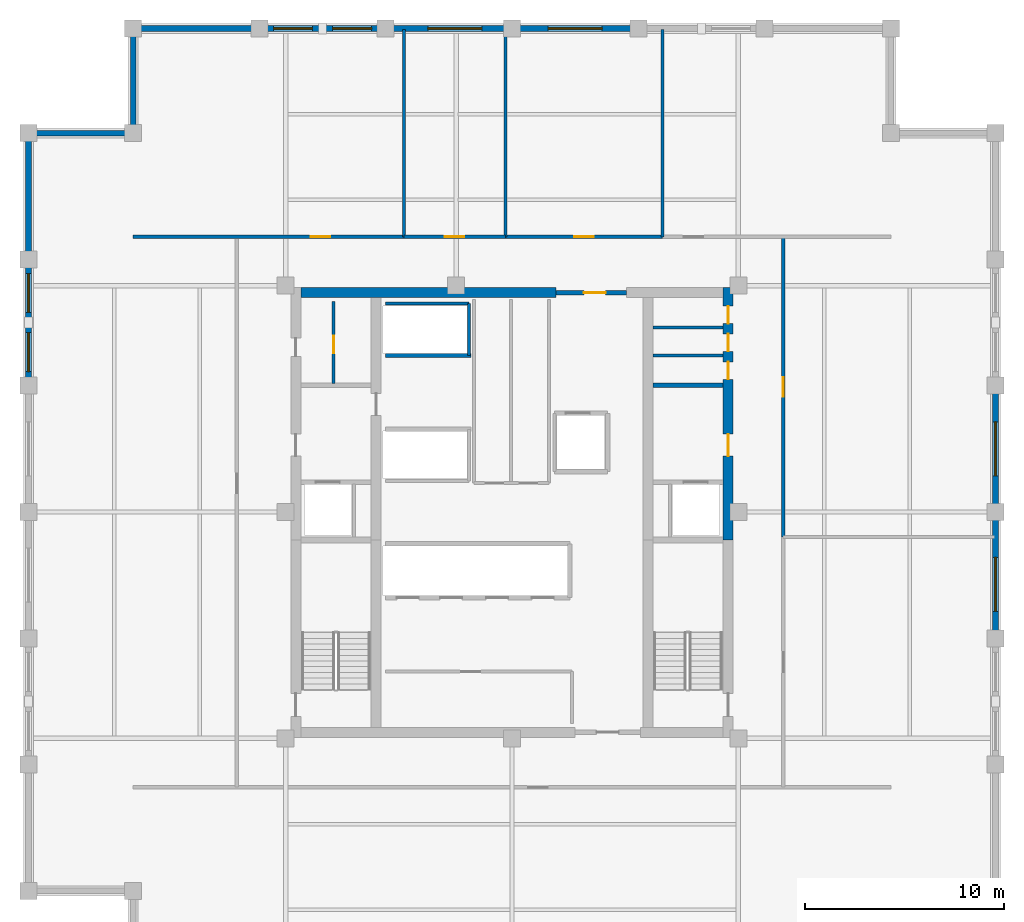
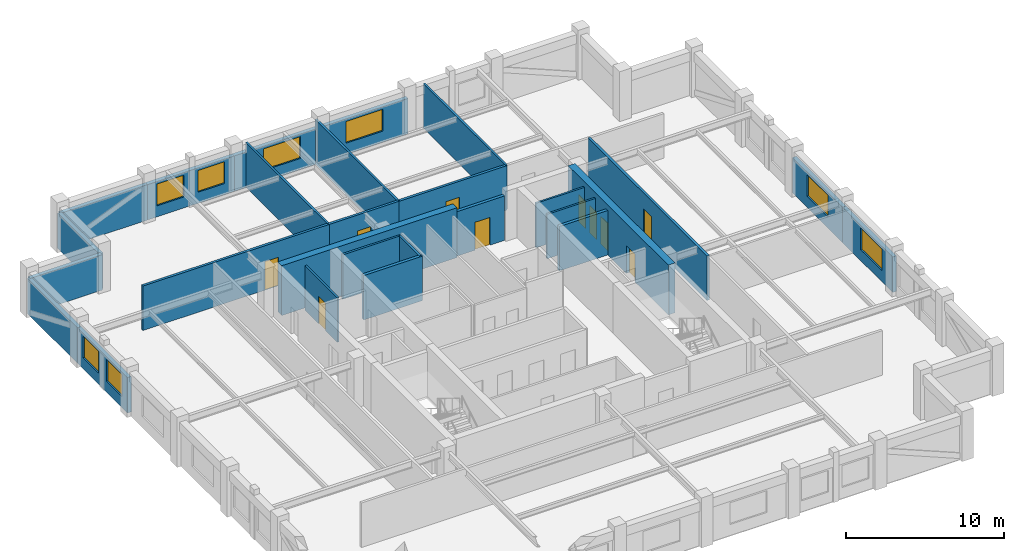
# One storey, part 4 of 6: 27 walls, 10 doors, 8 windows, 18 openings.
"""IFC4 building model written with IfcOpenShell, lengths in metres."""

from ifc_helpers import new_model, si_unit, direction, frame, frame_2d, origin, place, context, subcontext, project, spatial, rectangle, extrude, material, layer, layer_set, type_object, element, fill, save


model = new_model("IFC4")

# Units and contexts
model_context = context("Model", 3, precision=1e-05, world=origin(), true_north=direction((0.0, 1.0)))
body_context = subcontext(model_context, "Body", "Model", "MODEL_VIEW")
ifc_project = project(units=[si_unit("LENGTHUNIT", "METRE"), si_unit("AREAUNIT", "SQUARE_METRE"), si_unit("VOLUMEUNIT", "CUBIC_METRE"), si_unit("PLANEANGLEUNIT", "RADIAN"), si_unit("MASSUNIT", "GRAM", prefix="KILO")], contexts=[model_context])

# Site, building, storey
site_placement = place(None, origin())
site = spatial("IfcSite", under=ifc_project, at=site_placement, CompositionType="ELEMENT")
building_placement = place(site_placement, origin())
building = spatial("IfcBuilding", under=site, at=building_placement, Name="Nhamokura Convention Tower", CompositionType="ELEMENT")
storey_placement = place(building_placement, frame((0.0, 0.0, 248.5)))
storey = spatial("IfcBuildingStorey", under=building, at=storey_placement, Name="L61", CompositionType="ELEMENT", Elevation=248.5)

# Wall, opening, door
ifc_material_1 = material(Name="Moisture-resistant tile-backer partition", Category="masonry")
ifc_layer_1 = layer(ifc_material_1, 0.139892578125)
ifc_layer_set_1 = layer_set([ifc_layer_1], Name="BathroomWetWall_140")
wall_type_1 = type_object("IfcWallType", Name="BathroomWetWall_140", PredefinedType="STANDARD", material=ifc_layer_set_1)
wall_1_placement = place(storey_placement, frame((23.050048828125, 38.449951171875, 0.0), z_axis=(0.0, 0.0, 1.0), x_axis=(0.0, 1.0, 0.0)))
wall_1 = element("IfcWall", 1, at=wall_1_placement, inside=storey, type_object=wall_type_1, Name="L61 Wall INT-L61-CWNWV", PredefinedType="STANDARD", context=body_context, shape_type="SweptSolid", body=[
    extrude(rectangle(XDim=4.10009765625, YDim=0.139892578125, at=frame_2d((2.050048828125, 0.0))), origin(), (0.0, 0.0, 1.0), 3.429931640625),
])
opening_1_placement = place(wall_1_placement, frame((1.5, 0.0, 0.0)))
opening_1 = element("IfcOpeningElement", 2, at=opening_1_placement, cuts=wall_1, Name="Opening D-11", PredefinedType="OPENING", context=body_context, shape_type="SweptSolid", body=[
    extrude(rectangle(XDim=0.8798828125, YDim=2.10009765625, at=frame_2d((0.43994140625, 1.050048828125))), frame((0.0, 0.079833984375, 0.0), z_axis=(0.0, -1.0, 0.0), x_axis=(1.0, 0.0, 0.0)), (0.0, 0.0, 1.0), 0.159912109375),
])
ifc_material_2 = material(Name="Solid oak hardwood", Category="wood")
door_type_1 = type_object("IfcDoorType", Name="BathroomDoor_880", OperationType="NOTDEFINED", PredefinedType="DOOR", material=ifc_material_2)
door_1_placement = place(opening_1_placement, origin())
door_1 = element("IfcDoor", 3, at=door_1_placement, inside=storey, type_object=door_type_1, Name="L61 Inner Store Door", OperationType="SINGLE_SWING_LEFT", OverallHeight=2.10009765625, OverallWidth=0.8798828125, PredefinedType="DOOR", context=body_context, shape_type="SweptSolid", body=[
    extrude(rectangle(XDim=0.8798828125, YDim=2.10009765625, at=frame_2d((0.43994140625, 1.050048828125))), frame((0.0, 0.02490234375, 0.0), z_axis=(0.0, -1.0, 0.0), x_axis=(1.0, 0.0, 0.0)), (0.0, 0.0, 1.0), 0.050048828125),
])
fill(opening_1, door_1)

# Walls
for number, where, z_axis, x_axis, name in (
    (4, (39.06005859375, 39.85009765625, 0.0), (0.0, 0.0, 1.0), (1.0, 0.0, 0.0), "L61 Wall INT-L61-CWNE1"),
    (5, (39.06005859375, 41.25, 0.0), (0.0, 0.0, 1.0), (1.0, 0.0, 0.0), "L61 Wall INT-L61-CWNE2"),
):
    element("IfcWall", number, at=place(storey_placement, frame(where, z_axis=z_axis, x_axis=x_axis)), inside=storey, type_object=wall_type_1, Name=name, PredefinedType="STANDARD", context=body_context, shape_type="SweptSolid", body=[
        extrude(rectangle(XDim=3.530029296875, YDim=0.139892578125, at=frame_2d((1.76513671875, 0.0))), origin(), (0.0, 0.0, 1.0), 3.429931640625),
    ])
ifc_material_3 = material(Name="Bronze-pigmented precast concrete C45/55", Category="concrete")
ifc_layer_2 = layer(ifc_material_3, 0.280029296875)
ifc_layer_set_2 = layer_set([ifc_layer_2], Name="BronzePrecastSpandrel_280")
wall_type_2 = type_object("IfcWallType", Name="BronzePrecastSpandrel_280", PredefinedType="USERDEFINED", material=ifc_layer_set_2)
wall_2_placement = place(storey_placement, frame((13.0, 56.25, 0.0), z_axis=(0.0, 0.0, 1.0), x_axis=(1.0, 0.0, 0.0)))
element("IfcWall", 6, at=wall_2_placement, inside=storey, type_object=wall_type_2, Name="L61 Braced-Bay Precast Wall NORTH 0", ObjectType="SPANDREL_WALL", PredefinedType="USERDEFINED", context=body_context, shape_type="SweptSolid", body=[
    extrude(rectangle(XDim=6.333251953125, YDim=0.280029296875, at=frame_2d((3.16650390625, 0.0))), origin(), (0.0, 0.0, 1.0), 2.72998046875),
])

# Wall, openings, windows
wall_3_placement = place(storey_placement, frame((19.333251953125, 56.25, 0.0), z_axis=(0.0, 0.0, 1.0), x_axis=(1.0, 0.0, 0.0)))
wall_3 = element("IfcWall", 7, at=wall_3_placement, inside=storey, type_object=wall_type_2, Name="L61 Masonry-Frame Wall NORTH 1", ObjectType="SPANDREL_WALL", PredefinedType="USERDEFINED", context=body_context, shape_type="SweptSolid", body=[
    extrude(rectangle(XDim=6.33349609375, YDim=0.280029296875, at=frame_2d((3.166748046875, 0.0))), origin(), (0.0, 0.0, 1.0), 2.72998046875),
])
opening_2_placement = place(wall_3_placement, frame((0.708251953125, 0.0, 0.85009765625)))
opening_2 = element("IfcOpeningElement", 8, at=opening_2_placement, cuts=wall_3, Name="Opening W-08", PredefinedType="OPENING", context=body_context, shape_type="SweptSolid", body=[
    extrude(rectangle(XDim=1.949951171875, YDim=1.679931640625, at=frame_2d((0.97509765625, 0.83984375))), frame((0.0, 0.14990234375, 0.0), z_axis=(0.0, -1.0, 0.0), x_axis=(1.0, 0.0, 0.0)), (0.0, 0.0, 1.0), 0.300048828125),
])
opening_3_placement = place(wall_3_placement, frame((3.675048828125, 0.0, 0.85009765625)))
opening_3 = element("IfcOpeningElement", 9, at=opening_3_placement, cuts=wall_3, Name="Opening W-08", PredefinedType="OPENING", context=body_context, shape_type="SweptSolid", body=[
    extrude(rectangle(XDim=1.949951171875, YDim=1.679931640625, at=frame_2d((0.97509765625, 0.83984375))), frame((0.0, 0.14990234375, 0.0), z_axis=(0.0, -1.0, 0.0), x_axis=(1.0, 0.0, 0.0)), (0.0, 0.0, 1.0), 0.300048828125),
])
ifc_material_4 = material(Name="Solar-control bronze low-E double glass", Category="glass")
window_type_1 = type_object("IfcWindowType", Name="OfficeModuleWindow_Z3_1950", PartitioningType="SINGLE_PANEL", PredefinedType="WINDOW", material=ifc_material_4)
window_1_placement = place(opening_2_placement, origin())
window_1 = element("IfcWindow", 10, at=window_1_placement, inside=storey, type_object=window_type_1, Name="L61 Facade Window NORTH 1-1", OverallHeight=1.679931640625, OverallWidth=1.949951171875, PartitioningType="SINGLE_PANEL", PredefinedType="WINDOW", context=body_context, shape_type="SweptSolid", body=[
    extrude(rectangle(XDim=1.949951171875, YDim=1.679931640625, at=frame_2d((0.97509765625, 0.83984375))), frame((0.0, 0.030029296875, 0.0), z_axis=(0.0, -1.0, 0.0), x_axis=(1.0, 0.0, 0.0)), (0.0, 0.0, 1.0), 0.06005859375),
])
fill(opening_2, window_1)
window_2_placement = place(opening_3_placement, origin())
window_2 = element("IfcWindow", 11, at=window_2_placement, inside=storey, type_object=window_type_1, Name="L61 Facade Window NORTH 1-2", OverallHeight=1.679931640625, OverallWidth=1.949951171875, PartitioningType="SINGLE_PANEL", PredefinedType="WINDOW", context=body_context, shape_type="SweptSolid", body=[
    extrude(rectangle(XDim=1.949951171875, YDim=1.679931640625, at=frame_2d((0.97509765625, 0.83984375))), frame((0.0, 0.030029296875, 0.0), z_axis=(0.0, -1.0, 0.0), x_axis=(1.0, 0.0, 0.0)), (0.0, 0.0, 1.0), 0.06005859375),
])
fill(opening_3, window_2)

# Wall, opening, window
wall_4_placement = place(storey_placement, frame((25.666748046875, 56.25, 0.0), z_axis=(0.0, 0.0, 1.0), x_axis=(1.0, 0.0, 0.0)))
wall_4 = element("IfcWall", 12, at=wall_4_placement, inside=storey, type_object=wall_type_2, Name="L61 Masonry-Frame Wall NORTH 2", ObjectType="SPANDREL_WALL", PredefinedType="USERDEFINED", context=body_context, shape_type="SweptSolid", body=[
    extrude(rectangle(XDim=6.333251953125, YDim=0.280029296875, at=frame_2d((3.16650390625, 0.0))), origin(), (0.0, 0.0, 1.0), 2.72998046875),
])
opening_4_placement = place(wall_4_placement, frame((2.11669921875, 0.0, 0.85009765625)))
opening_4 = element("IfcOpeningElement", 13, at=opening_4_placement, cuts=wall_4, Name="Opening W-07", PredefinedType="OPENING", context=body_context, shape_type="SweptSolid", body=[
    extrude(rectangle(XDim=2.699951171875, YDim=1.679931640625, at=frame_2d((1.35009765625, 0.83984375))), frame((0.0, 0.14990234375, 0.0), z_axis=(0.0, -1.0, 0.0), x_axis=(1.0, 0.0, 0.0)), (0.0, 0.0, 1.0), 0.300048828125),
])
ifc_material_5 = material(Name="Solar-control bronze low-E double glass", Category="glass")
window_type_2 = type_object("IfcWindowType", Name="OfficeModuleWindow_Z3_2700", PartitioningType="DOUBLE_PANEL_VERTICAL", PredefinedType="WINDOW", material=ifc_material_5)
window_3_placement = place(opening_4_placement, origin())
window_3 = element("IfcWindow", 14, at=window_3_placement, inside=storey, type_object=window_type_2, Name="L61 Facade Window NORTH 2", OverallHeight=1.679931640625, OverallWidth=2.699951171875, PartitioningType="SINGLE_PANEL", PredefinedType="WINDOW", context=body_context, shape_type="SweptSolid", body=[
    extrude(rectangle(XDim=2.699951171875, YDim=1.679931640625, at=frame_2d((1.35009765625, 0.83984375))), frame((0.0, 0.030029296875, 0.0), z_axis=(0.0, -1.0, 0.0), x_axis=(1.0, 0.0, 0.0)), (0.0, 0.0, 1.0), 0.06005859375),
])
fill(opening_4, window_3)

wall_5_placement = place(storey_placement, frame((32.0, 56.25, 0.0), z_axis=(0.0, 0.0, 1.0), x_axis=(1.0, 0.0, 0.0)))
wall_5 = element("IfcWall", 15, at=wall_5_placement, inside=storey, type_object=wall_type_2, Name="L61 Masonry-Frame Wall NORTH 3", ObjectType="SPANDREL_WALL", PredefinedType="USERDEFINED", context=body_context, shape_type="SweptSolid", body=[
    extrude(rectangle(XDim=6.333251953125, YDim=0.280029296875, at=frame_2d((3.16650390625, 0.0))), origin(), (0.0, 0.0, 1.0), 2.72998046875),
])
opening_5_placement = place(wall_5_placement, frame((1.816650390625, 0.0, 0.85009765625)))
opening_5 = element("IfcOpeningElement", 16, at=opening_5_placement, cuts=wall_5, Name="Opening W-07", PredefinedType="OPENING", context=body_context, shape_type="SweptSolid", body=[
    extrude(rectangle(XDim=2.699951171875, YDim=1.679931640625, at=frame_2d((1.35009765625, 0.83984375))), frame((0.0, 0.14990234375, 0.0), z_axis=(0.0, -1.0, 0.0), x_axis=(1.0, 0.0, 0.0)), (0.0, 0.0, 1.0), 0.300048828125),
])
window_4_placement = place(opening_5_placement, origin())
window_4 = element("IfcWindow", 17, at=window_4_placement, inside=storey, type_object=window_type_2, Name="L61 Facade Window NORTH 3", OverallHeight=1.679931640625, OverallWidth=2.699951171875, PartitioningType="SINGLE_PANEL", PredefinedType="WINDOW", context=body_context, shape_type="SweptSolid", body=[
    extrude(rectangle(XDim=2.699951171875, YDim=1.679931640625, at=frame_2d((1.35009765625, 0.83984375))), frame((0.0, 0.030029296875, 0.0), z_axis=(0.0, -1.0, 0.0), x_axis=(1.0, 0.0, 0.0)), (0.0, 0.0, 1.0), 0.06005859375),
])
fill(opening_5, window_4)

# Wall, openings, windows
wall_6_placement = place(storey_placement, frame((7.75, 38.333251953125, 0.0), z_axis=(0.0, 0.0, 1.0), x_axis=(0.0, 1.0, 0.0)))
wall_6 = element("IfcWall", 18, at=wall_6_placement, inside=storey, type_object=wall_type_2, Name="L61 Masonry-Frame Wall WEST 4", ObjectType="SPANDREL_WALL", PredefinedType="USERDEFINED", context=body_context, shape_type="SweptSolid", body=[
    extrude(rectangle(XDim=6.33349609375, YDim=0.280029296875, at=frame_2d((3.166748046875, 0.0))), origin(), (0.0, 0.0, 1.0), 2.72998046875),
])
opening_6_placement = place(wall_6_placement, frame((0.708251953125, 0.0, 0.85009765625)))
opening_6 = element("IfcOpeningElement", 19, at=opening_6_placement, cuts=wall_6, Name="Opening W-08", PredefinedType="OPENING", context=body_context, shape_type="SweptSolid", body=[
    extrude(rectangle(XDim=1.949951171875, YDim=1.679931640625, at=frame_2d((0.97509765625, 0.83984375))), frame((0.0, 0.14990234375, 0.0), z_axis=(0.0, -1.0, 0.0), x_axis=(1.0, 0.0, 0.0)), (0.0, 0.0, 1.0), 0.300048828125),
])
opening_7_placement = place(wall_6_placement, frame((3.675048828125, 0.0, 0.85009765625)))
opening_7 = element("IfcOpeningElement", 20, at=opening_7_placement, cuts=wall_6, Name="Opening W-08", PredefinedType="OPENING", context=body_context, shape_type="SweptSolid", body=[
    extrude(rectangle(XDim=1.949951171875, YDim=1.679931640625, at=frame_2d((0.97509765625, 0.83984375))), frame((0.0, 0.14990234375, 0.0), z_axis=(0.0, -1.0, 0.0), x_axis=(1.0, 0.0, 0.0)), (0.0, 0.0, 1.0), 0.300048828125),
])
window_5_placement = place(opening_6_placement, origin())
window_5 = element("IfcWindow", 21, at=window_5_placement, inside=storey, type_object=window_type_1, Name="L61 Facade Window WEST 4-1", OverallHeight=1.679931640625, OverallWidth=1.949951171875, PartitioningType="SINGLE_PANEL", PredefinedType="WINDOW", context=body_context, shape_type="SweptSolid", body=[
    extrude(rectangle(XDim=1.949951171875, YDim=1.679931640625, at=frame_2d((0.97509765625, 0.83984375))), frame((0.0, 0.030029296875, 0.0), z_axis=(0.0, -1.0, 0.0), x_axis=(1.0, 0.0, 0.0)), (0.0, 0.0, 1.0), 0.06005859375),
])
fill(opening_6, window_5)
window_6_placement = place(opening_7_placement, origin())
window_6 = element("IfcWindow", 22, at=window_6_placement, inside=storey, type_object=window_type_1, Name="L61 Facade Window WEST 4-2", OverallHeight=1.679931640625, OverallWidth=1.949951171875, PartitioningType="SINGLE_PANEL", PredefinedType="WINDOW", context=body_context, shape_type="SweptSolid", body=[
    extrude(rectangle(XDim=1.949951171875, YDim=1.679931640625, at=frame_2d((0.97509765625, 0.83984375))), frame((0.0, 0.030029296875, 0.0), z_axis=(0.0, -1.0, 0.0), x_axis=(1.0, 0.0, 0.0)), (0.0, 0.0, 1.0), 0.06005859375),
])
fill(opening_7, window_6)

# Wall
wall_7_placement = place(storey_placement, frame((7.75, 44.666748046875, 0.0), z_axis=(0.0, 0.0, 1.0), x_axis=(0.0, 1.0, 0.0)))
element("IfcWall", 23, at=wall_7_placement, inside=storey, type_object=wall_type_2, Name="L61 Braced-Bay Precast Wall WEST 5", ObjectType="SPANDREL_WALL", PredefinedType="USERDEFINED", context=body_context, shape_type="SweptSolid", body=[
    extrude(rectangle(XDim=6.333251953125, YDim=0.280029296875, at=frame_2d((3.16650390625, 0.0))), origin(), (0.0, 0.0, 1.0), 2.72998046875),
])

# Wall, opening, window
wall_8_placement = place(storey_placement, frame((56.25, 32.0, 0.0), z_axis=(0.0, 0.0, 1.0), x_axis=(0.0, -1.0, 0.0)))
wall_8 = element("IfcWall", 24, at=wall_8_placement, inside=storey, type_object=wall_type_2, Name="L61 Masonry-Frame Wall EAST 2", ObjectType="SPANDREL_WALL", PredefinedType="USERDEFINED", context=body_context, shape_type="SweptSolid", body=[
    extrude(rectangle(XDim=6.333251953125, YDim=0.280029296875, at=frame_2d((3.16650390625, 0.0))), origin(), (0.0, 0.0, 1.0), 2.72998046875),
])
opening_8_placement = place(wall_8_placement, frame((2.279296875, 0.0, 0.85009765625)))
opening_8 = element("IfcOpeningElement", 25, at=opening_8_placement, cuts=wall_8, Name="Opening W-07", PredefinedType="OPENING", context=body_context, shape_type="SweptSolid", body=[
    extrude(rectangle(XDim=2.699951171875, YDim=1.679931640625, at=frame_2d((1.35009765625, 0.83984375))), frame((0.0, 0.14990234375, 0.0), z_axis=(0.0, -1.0, 0.0), x_axis=(1.0, 0.0, 0.0)), (0.0, 0.0, 1.0), 0.300048828125),
])
window_7_placement = place(opening_8_placement, origin())
window_7 = element("IfcWindow", 26, at=window_7_placement, inside=storey, type_object=window_type_2, Name="L61 Facade Window EAST 2-2", OverallHeight=1.679931640625, OverallWidth=2.699951171875, PartitioningType="SINGLE_PANEL", PredefinedType="WINDOW", context=body_context, shape_type="SweptSolid", body=[
    extrude(rectangle(XDim=2.699951171875, YDim=1.679931640625, at=frame_2d((1.35009765625, 0.83984375))), frame((0.0, 0.030029296875, 0.0), z_axis=(0.0, -1.0, 0.0), x_axis=(1.0, 0.0, 0.0)), (0.0, 0.0, 1.0), 0.06005859375),
])
fill(opening_8, window_7)

wall_9_placement = place(storey_placement, frame((56.25, 38.333251953125, 0.0), z_axis=(0.0, 0.0, 1.0), x_axis=(0.0, -1.0, 0.0)))
wall_9 = element("IfcWall", 27, at=wall_9_placement, inside=storey, type_object=wall_type_2, Name="L61 Masonry-Frame Wall EAST 3", ObjectType="SPANDREL_WALL", PredefinedType="USERDEFINED", context=body_context, shape_type="SweptSolid", body=[
    extrude(rectangle(XDim=6.333251953125, YDim=0.280029296875, at=frame_2d((3.16650390625, 0.0))), origin(), (0.0, 0.0, 1.0), 2.72998046875),
])
opening_9_placement = place(wall_9_placement, frame((1.816650390625, 0.0, 0.85009765625)))
opening_9 = element("IfcOpeningElement", 28, at=opening_9_placement, cuts=wall_9, Name="Opening W-07", PredefinedType="OPENING", context=body_context, shape_type="SweptSolid", body=[
    extrude(rectangle(XDim=2.699951171875, YDim=1.679931640625, at=frame_2d((1.35009765625, 0.83984375))), frame((0.0, 0.14990234375, 0.0), z_axis=(0.0, -1.0, 0.0), x_axis=(1.0, 0.0, 0.0)), (0.0, 0.0, 1.0), 0.300048828125),
])
window_8_placement = place(opening_9_placement, origin())
window_8 = element("IfcWindow", 29, at=window_8_placement, inside=storey, type_object=window_type_2, Name="L61 Facade Window EAST 3", OverallHeight=1.679931640625, OverallWidth=2.699951171875, PartitioningType="SINGLE_PANEL", PredefinedType="WINDOW", context=body_context, shape_type="SweptSolid", body=[
    extrude(rectangle(XDim=2.699951171875, YDim=1.679931640625, at=frame_2d((1.35009765625, 0.83984375))), frame((0.0, 0.030029296875, 0.0), z_axis=(0.0, -1.0, 0.0), x_axis=(1.0, 0.0, 0.0)), (0.0, 0.0, 1.0), 0.06005859375),
])
fill(opening_9, window_8)

# Walls
for number, where, z_axis, x_axis, name in (
    (30, (13.0, 51.0, 0.0), (0.0, 0.0, 1.0), (0.0, 1.0, 0.0), "L61 Notched Corner Wall NW1"),
    (31, (7.75, 51.0, 0.0), (0.0, 0.0, 1.0), (1.0, 0.0, 0.0), "L61 Notched Corner Wall NW2"),
):
    element("IfcWall", number, at=place(storey_placement, frame(where, z_axis=z_axis, x_axis=x_axis)), inside=storey, type_object=wall_type_2, Name=name, ObjectType="SPANDREL_WALL", PredefinedType="USERDEFINED", context=body_context, shape_type="SweptSolid", body=[
        extrude(rectangle(XDim=5.25, YDim=0.280029296875, at=frame_2d((2.625, 0.0))), origin(), (0.0, 0.0, 1.0), 2.72998046875),
    ])

# Wall, openings, doors
ifc_material_6 = material(Name="Concrete C60/75", Category="concrete")
ifc_layer_3 = layer(ifc_material_6, 0.5)
ifc_layer_set_3 = layer_set([ifc_layer_3], Name="CoreShearWall_500")
wall_type_3 = type_object("IfcWallType", Name="CoreShearWall_500", PredefinedType="SHEAR", material=ifc_layer_set_3)
wall_10_placement = place(storey_placement, frame((42.840087890625, 30.60009765625, 0.0), z_axis=(0.0, 0.0, 1.0), x_axis=(0.0, 1.0, 0.0)))
wall_10 = element("IfcWall", 32, at=wall_10_placement, inside=storey, type_object=wall_type_3, Name="L61 Core Shear Wall CW-EN", PredefinedType="SHEAR", context=body_context, shape_type="SweptSolid", body=[
    extrude(rectangle(XDim=12.64990234375, YDim=0.5, at=frame_2d((6.324951171875, 0.0))), origin(), (0.0, 0.0, 1.0), 3.85009765625),
])
opening_10_placement = place(wall_10_placement, frame((4.199951171875, 0.0, 0.0)))
opening_10 = element("IfcOpeningElement", 33, at=opening_10_placement, cuts=wall_10, Name="Opening D-05", PredefinedType="OPENING", context=body_context, shape_type="SweptSolid", body=[
    extrude(rectangle(XDim=1.10009765625, YDim=2.14990234375, at=frame_2d((0.550048828125, 1.074951171875))), frame((0.0, 0.260009765625, 0.0), z_axis=(0.0, -1.0, 0.0), x_axis=(1.0, 0.0, 0.0)), (0.0, 0.0, 1.0), 0.52001953125),
])
opening_11_placement = place(wall_10_placement, frame((8.050048828125, 0.0, 0.0)))
opening_11 = element("IfcOpeningElement", 34, at=opening_11_placement, cuts=wall_10, Name="Opening D-11", PredefinedType="OPENING", context=body_context, shape_type="SweptSolid", body=[
    extrude(rectangle(XDim=0.8798828125, YDim=2.10009765625, at=frame_2d((0.43994140625, 1.050048828125))), frame((0.0, 0.260009765625, 0.0), z_axis=(0.0, -1.0, 0.0), x_axis=(1.0, 0.0, 0.0)), (0.0, 0.0, 1.0), 0.52001953125),
])
opening_12_placement = place(wall_10_placement, frame((9.449951171875, 0.0, 0.0)))
opening_12 = element("IfcOpeningElement", 35, at=opening_12_placement, cuts=wall_10, Name="Opening D-11", PredefinedType="OPENING", context=body_context, shape_type="SweptSolid", body=[
    extrude(rectangle(XDim=0.8798828125, YDim=2.10009765625, at=frame_2d((0.43994140625, 1.050048828125))), frame((0.0, 0.260009765625, 0.0), z_axis=(0.0, -1.0, 0.0), x_axis=(1.0, 0.0, 0.0)), (0.0, 0.0, 1.0), 0.52001953125),
])
opening_13_placement = place(wall_10_placement, frame((10.85009765625, 0.0, 0.0)))
opening_13 = element("IfcOpeningElement", 36, at=opening_13_placement, cuts=wall_10, Name="Opening D-11", PredefinedType="OPENING", context=body_context, shape_type="SweptSolid", body=[
    extrude(rectangle(XDim=0.8798828125, YDim=2.10009765625, at=frame_2d((0.43994140625, 1.050048828125))), frame((0.0, 0.260009765625, 0.0), z_axis=(0.0, -1.0, 0.0), x_axis=(1.0, 0.0, 0.0)), (0.0, 0.0, 1.0), 0.52001953125),
])
door_2_placement = place(opening_11_placement, origin())
door_2 = element("IfcDoor", 37, at=door_2_placement, inside=storey, type_object=door_type_1, Name="L61 Core Door INT-L61-D-MWC", OperationType="SINGLE_SWING_LEFT", OverallHeight=2.10009765625, OverallWidth=0.8798828125, PredefinedType="DOOR", context=body_context, shape_type="SweptSolid", body=[
    extrude(rectangle(XDim=0.8798828125, YDim=2.10009765625, at=frame_2d((0.43994140625, 1.050048828125))), frame((0.0, 0.02490234375, 0.0), z_axis=(0.0, -1.0, 0.0), x_axis=(1.0, 0.0, 0.0)), (0.0, 0.0, 1.0), 0.050048828125),
])
fill(opening_11, door_2)
door_3_placement = place(opening_12_placement, origin())
door_3 = element("IfcDoor", 38, at=door_3_placement, inside=storey, type_object=door_type_1, Name="L61 Core Door INT-L61-D-FWC", OperationType="SINGLE_SWING_RIGHT", OverallHeight=2.10009765625, OverallWidth=0.8798828125, PredefinedType="DOOR", context=body_context, shape_type="SweptSolid", body=[
    extrude(rectangle(XDim=0.8798828125, YDim=2.10009765625, at=frame_2d((0.43994140625, 1.050048828125))), frame((0.0, 0.02490234375, 0.0), z_axis=(0.0, -1.0, 0.0), x_axis=(1.0, 0.0, 0.0)), (0.0, 0.0, 1.0), 0.050048828125),
])
fill(opening_12, door_3)
door_4_placement = place(opening_13_placement, origin())
door_4 = element("IfcDoor", 39, at=door_4_placement, inside=storey, type_object=door_type_1, Name="L61 Core Door INT-L61-D-ARC", OperationType="SINGLE_SWING_LEFT", OverallHeight=2.10009765625, OverallWidth=0.8798828125, PredefinedType="DOOR", context=body_context, shape_type="SweptSolid", body=[
    extrude(rectangle(XDim=0.8798828125, YDim=2.10009765625, at=frame_2d((0.43994140625, 1.050048828125))), frame((0.0, 0.02490234375, 0.0), z_axis=(0.0, -1.0, 0.0), x_axis=(1.0, 0.0, 0.0)), (0.0, 0.0, 1.0), 0.050048828125),
])
fill(opening_13, door_4)
ifc_material_7 = material(Name="Fire-rated steel door", Category="steel")
door_type_2 = type_object("IfcDoorType", Name="FireLobbyDoor_1100", OperationType="NOTDEFINED", PredefinedType="DOOR", material=ifc_material_7)
door_5_placement = place(opening_10_placement, origin())
door_5 = element("IfcDoor", 40, at=door_5_placement, inside=storey, type_object=door_type_2, Name="L61 Core Door INT-L61-D-FFLE", OperationType="SINGLE_SWING_LEFT", OverallHeight=2.14990234375, OverallWidth=1.10009765625, PredefinedType="DOOR", context=body_context, shape_type="SweptSolid", body=[
    extrude(rectangle(XDim=1.10009765625, YDim=2.14990234375, at=frame_2d((0.550048828125, 1.074951171875))), frame((0.0, 0.02490234375, 0.0), z_axis=(0.0, -1.0, 0.0), x_axis=(1.0, 0.0, 0.0)), (0.0, 0.0, 1.0), 0.050048828125),
])
fill(opening_10, door_5)

# Wall
wall_11_placement = place(storey_placement, frame((21.409912109375, 43.0, 0.0), z_axis=(0.0, 0.0, 1.0), x_axis=(1.0, 0.0, 0.0)))
element("IfcWall", 41, at=wall_11_placement, inside=storey, type_object=wall_type_3, Name="L61 Core Shear Wall CW-N1", PredefinedType="SHEAR", context=body_context, shape_type="SweptSolid", body=[
    extrude(rectangle(XDim=12.7900390625, YDim=0.5, at=frame_2d((6.39501953125, 0.0))), origin(), (0.0, 0.0, 1.0), 3.85009765625),
])

# Wall, opening, door
ifc_material_8 = material(Name="Fire-rated gypsum and masonry partition", Category="masonry")
ifc_layer_4 = layer(ifc_material_8, 0.179931640625)
ifc_layer_set_4 = layer_set([ifc_layer_4], Name="CorridorRatedWall_180")
wall_type_4 = type_object("IfcWallType", Name="CorridorRatedWall_180", PredefinedType="STANDARD", material=ifc_layer_set_4)
wall_12_placement = place(storey_placement, frame((13.0, 45.800048828125, 0.0), z_axis=(0.0, 0.0, 1.0), x_axis=(1.0, 0.0, 0.0)))
wall_12 = element("IfcWall", 42, at=wall_12_placement, inside=storey, type_object=wall_type_4, Name="L61 Wall INT-L61-CW-N00", PredefinedType="STANDARD", context=body_context, shape_type="SweptSolid", body=[
    extrude(rectangle(XDim=13.591796875, YDim=0.179931640625, at=frame_2d((6.7958984375, 0.0))), origin(), (0.0, 0.0, 1.0), 3.429931640625),
])
opening_14_placement = place(wall_12_placement, frame((8.895751953125, 0.0, 0.0)))
opening_14 = element("IfcOpeningElement", 43, at=opening_14_placement, cuts=wall_12, Name="Opening D-08", PredefinedType="OPENING", context=body_context, shape_type="SweptSolid", body=[
    extrude(rectangle(XDim=0.97998046875, YDim=2.199951171875, at=frame_2d((0.489990234375, 1.10009765625))), frame((0.0, 0.099853515625, 0.0), z_axis=(0.0, -1.0, 0.0), x_axis=(1.0, 0.0, 0.0)), (0.0, 0.0, 1.0), 0.199951171875),
])
ifc_material_9 = material(Name="Solid oak hardwood", Category="wood")
door_type_3 = type_object("IfcDoorType", Name="OfficeEntryDoor_980", OperationType="NOTDEFINED", PredefinedType="DOOR", material=ifc_material_9)
door_6_placement = place(opening_14_placement, origin())
door_6 = element("IfcDoor", 44, at=door_6_placement, inside=storey, type_object=door_type_3, Name="L61 Staff Restaurant N01 Door", OperationType="SINGLE_SWING_LEFT", OverallHeight=2.199951171875, OverallWidth=0.97998046875, PredefinedType="DOOR", context=body_context, shape_type="SweptSolid", body=[
    extrude(rectangle(XDim=0.97998046875, YDim=2.199951171875, at=frame_2d((0.489990234375, 1.10009765625))), frame((0.0, 0.02490234375, 0.0), z_axis=(0.0, -1.0, 0.0), x_axis=(1.0, 0.0, 0.0)), (0.0, 0.0, 1.0), 0.050048828125),
])
fill(opening_14, door_6)

wall_13_placement = place(storey_placement, frame((26.591796875, 45.800048828125, 0.0), z_axis=(0.0, 0.0, 1.0), x_axis=(1.0, 0.0, 0.0)))
wall_13 = element("IfcWall", 45, at=wall_13_placement, inside=storey, type_object=wall_type_4, Name="L61 Wall INT-L61-CW-N01", PredefinedType="STANDARD", context=body_context, shape_type="SweptSolid", body=[
    extrude(rectangle(XDim=5.083251953125, YDim=0.179931640625, at=frame_2d((2.54150390625, 0.0))), origin(), (0.0, 0.0, 1.0), 3.429931640625),
])
opening_15_placement = place(wall_13_placement, frame((2.041748046875, 0.0, 0.0)))
opening_15 = element("IfcOpeningElement", 46, at=opening_15_placement, cuts=wall_13, Name="Opening D-08", PredefinedType="OPENING", context=body_context, shape_type="SweptSolid", body=[
    extrude(rectangle(XDim=0.97998046875, YDim=2.199951171875, at=frame_2d((0.489990234375, 1.10009765625))), frame((0.0, 0.099853515625, 0.0), z_axis=(0.0, -1.0, 0.0), x_axis=(1.0, 0.0, 0.0)), (0.0, 0.0, 1.0), 0.199951171875),
])
door_7_placement = place(opening_15_placement, origin())
door_7 = element("IfcDoor", 47, at=door_7_placement, inside=storey, type_object=door_type_3, Name="L61 Cafeteria Kitchen N02 Door", OperationType="SINGLE_SWING_RIGHT", OverallHeight=2.199951171875, OverallWidth=0.97998046875, PredefinedType="DOOR", context=body_context, shape_type="SweptSolid", body=[
    extrude(rectangle(XDim=0.97998046875, YDim=2.199951171875, at=frame_2d((0.489990234375, 1.10009765625))), frame((0.0, 0.02490234375, 0.0), z_axis=(0.0, -1.0, 0.0), x_axis=(1.0, 0.0, 0.0)), (0.0, 0.0, 1.0), 0.050048828125),
])
fill(opening_15, door_7)

wall_14_placement = place(storey_placement, frame((31.675048828125, 45.800048828125, 0.0), z_axis=(0.0, 0.0, 1.0), x_axis=(1.0, 0.0, 0.0)))
wall_14 = element("IfcWall", 48, at=wall_14_placement, inside=storey, type_object=wall_type_4, Name="L61 Wall INT-L61-CW-N02", PredefinedType="STANDARD", context=body_context, shape_type="SweptSolid", body=[
    extrude(rectangle(XDim=7.88330078125, YDim=0.179931640625, at=frame_2d((3.941650390625, 0.0))), origin(), (0.0, 0.0, 1.0), 3.429931640625),
])
opening_16_placement = place(wall_14_placement, frame((3.441650390625, 0.0, 0.0)))
opening_16 = element("IfcOpeningElement", 49, at=opening_16_placement, cuts=wall_14, Name="Opening D-08", PredefinedType="OPENING", context=body_context, shape_type="SweptSolid", body=[
    extrude(rectangle(XDim=0.97998046875, YDim=2.199951171875, at=frame_2d((0.489990234375, 1.10009765625))), frame((0.0, 0.099853515625, 0.0), z_axis=(0.0, -1.0, 0.0), x_axis=(1.0, 0.0, 0.0)), (0.0, 0.0, 1.0), 0.199951171875),
])
door_8_placement = place(opening_16_placement, origin())
door_8 = element("IfcDoor", 50, at=door_8_placement, inside=storey, type_object=door_type_3, Name="L61 Staff Restaurant N03 Door", OperationType="SINGLE_SWING_LEFT", OverallHeight=2.199951171875, OverallWidth=0.97998046875, PredefinedType="DOOR", context=body_context, shape_type="SweptSolid", body=[
    extrude(rectangle(XDim=0.97998046875, YDim=2.199951171875, at=frame_2d((0.489990234375, 1.10009765625))), frame((0.0, 0.02490234375, 0.0), z_axis=(0.0, -1.0, 0.0), x_axis=(1.0, 0.0, 0.0)), (0.0, 0.0, 1.0), 0.050048828125),
])
fill(opening_16, door_8)

wall_15_placement = place(storey_placement, frame((45.60009765625, 30.75, 0.0), z_axis=(0.0, 0.0, 1.0), x_axis=(0.0, 1.0, 0.0)))
wall_15 = element("IfcWall", 51, at=wall_15_placement, inside=storey, type_object=wall_type_4, Name="L61 Wall INT-L61-CW-E01", PredefinedType="STANDARD", context=body_context, shape_type="SweptSolid", body=[
    extrude(rectangle(XDim=15.050048828125, YDim=0.179931640625, at=frame_2d((7.52490234375, 0.0))), origin(), (0.0, 0.0, 1.0), 3.429931640625),
])
opening_17_placement = place(wall_15_placement, frame((7.02490234375, 0.0, 0.0)))
opening_17 = element("IfcOpeningElement", 52, at=opening_17_placement, cuts=wall_15, Name="Opening D-08", PredefinedType="OPENING", context=body_context, shape_type="SweptSolid", body=[
    extrude(rectangle(XDim=0.97998046875, YDim=2.199951171875, at=frame_2d((0.489990234375, 1.10009765625))), frame((0.0, 0.099853515625, 0.0), z_axis=(0.0, -1.0, 0.0), x_axis=(1.0, 0.0, 0.0)), (0.0, 0.0, 1.0), 0.199951171875),
])
door_9_placement = place(opening_17_placement, origin())
door_9 = element("IfcDoor", 53, at=door_9_placement, inside=storey, type_object=door_type_3, Name="L61 Collaboration Lounge E02 Door", OperationType="SINGLE_SWING_RIGHT", OverallHeight=2.199951171875, OverallWidth=0.97998046875, PredefinedType="DOOR", context=body_context, shape_type="SweptSolid", body=[
    extrude(rectangle(XDim=0.97998046875, YDim=2.199951171875, at=frame_2d((0.489990234375, 1.10009765625))), frame((0.0, 0.02490234375, 0.0), z_axis=(0.0, -1.0, 0.0), x_axis=(1.0, 0.0, 0.0)), (0.0, 0.0, 1.0), 0.050048828125),
])
fill(opening_17, door_9)

# Walls
ifc_material_10 = material(Name="Autoclaved concrete blockwork", Category="masonry")
ifc_layer_5 = layer(ifc_material_10, 0.219970703125)
ifc_layer_set_5 = layer_set([ifc_layer_5], Name="FireLobbyWall_220")
wall_type_5 = type_object("IfcWallType", Name="FireLobbyWall_220", PredefinedType="STANDARD", material=ifc_layer_set_5)
wall_16_placement = place(storey_placement, frame((39.06005859375, 38.35009765625, 0.0), z_axis=(0.0, 0.0, 1.0), x_axis=(1.0, 0.0, 0.0)))
element("IfcWall", 54, at=wall_16_placement, inside=storey, type_object=wall_type_5, Name="L61 Wall INT-L61-FFE-N", PredefinedType="STANDARD", context=body_context, shape_type="SweptSolid", body=[
    extrude(rectangle(XDim=3.530029296875, YDim=0.219970703125, at=frame_2d((1.76513671875, 0.0))), origin(), (0.0, 0.0, 1.0), 3.429931640625),
])
wall_17_placement = place(storey_placement, frame((25.64990234375, 39.85009765625, 0.0), z_axis=(0.0, 0.0, 1.0), x_axis=(1.0, 0.0, 0.0)))
element("IfcWall", 55, at=wall_17_placement, inside=storey, type_object=wall_type_5, Name="L61 Wall INT-L61-B3N", PredefinedType="STANDARD", context=body_context, shape_type="SweptSolid", body=[
    extrude(rectangle(XDim=4.300048828125, YDim=0.219970703125, at=frame_2d((2.14990234375, 0.0))), origin(), (0.0, 0.0, 1.0), 3.429931640625),
])

# Wall, opening, door
wall_18_placement = place(storey_placement, frame((34.199951171875, 43.0, 0.0), z_axis=(0.0, 0.0, 1.0), x_axis=(1.0, 0.0, 0.0)))
wall_18 = element("IfcWall", 56, at=wall_18_placement, inside=storey, type_object=wall_type_5, Name="L61 Wall INT-L61-CPORT-N", PredefinedType="STANDARD", context=body_context, shape_type="SweptSolid", body=[
    extrude(rectangle(XDim=3.550048828125, YDim=0.219970703125, at=frame_2d((1.77490234375, 0.0))), origin(), (0.0, 0.0, 1.0), 3.429931640625),
])
opening_18_placement = place(wall_18_placement, frame((1.39990234375, 0.0, 0.0)))
opening_18 = element("IfcOpeningElement", 57, at=opening_18_placement, cuts=wall_18, Name="Opening D-05", PredefinedType="OPENING", context=body_context, shape_type="SweptSolid", body=[
    extrude(rectangle(XDim=1.10009765625, YDim=2.14990234375, at=frame_2d((0.550048828125, 1.074951171875))), frame((0.0, 0.119873046875, 0.0), z_axis=(0.0, -1.0, 0.0), x_axis=(1.0, 0.0, 0.0)), (0.0, 0.0, 1.0), 0.239990234375),
])
door_10_placement = place(opening_18_placement, origin())
door_10 = element("IfcDoor", 58, at=door_10_placement, inside=storey, type_object=door_type_2, Name="L61 North Core Lobby Portal Door", OperationType="SINGLE_SWING_RIGHT", OverallHeight=2.14990234375, OverallWidth=1.10009765625, PredefinedType="DOOR", context=body_context, shape_type="SweptSolid", body=[
    extrude(rectangle(XDim=1.10009765625, YDim=2.14990234375, at=frame_2d((0.550048828125, 1.074951171875))), frame((0.0, 0.02490234375, 0.0), z_axis=(0.0, -1.0, 0.0), x_axis=(1.0, 0.0, 0.0)), (0.0, 0.0, 1.0), 0.050048828125),
])
fill(opening_18, door_10)

# Walls
ifc_material_11 = material(Name="Acoustic gypsum stud partition", Category="masonry")
ifc_layer_6 = layer(ifc_material_11, 0.14990234375)
ifc_layer_set_6 = layer_set([ifc_layer_6], Name="InteriorPartition_150")
wall_type_6 = type_object("IfcWallType", Name="InteriorPartition_150", PredefinedType="STANDARD", material=ifc_layer_set_6)
wall_19_placement = place(storey_placement, frame((25.64990234375, 42.449951171875, 0.0), z_axis=(0.0, 0.0, 1.0), x_axis=(1.0, 0.0, 0.0)))
element("IfcWall", 59, at=wall_19_placement, inside=storey, type_object=wall_type_6, Name="L61 Wall INT-L61-B3B-N", PredefinedType="STANDARD", context=body_context, shape_type="SweptSolid", body=[
    extrude(rectangle(XDim=4.2001953125, YDim=0.14990234375, at=frame_2d((2.10009765625, 0.0))), origin(), (0.0, 0.0, 1.0), 3.429931640625),
])
wall_20_placement = place(storey_placement, frame((29.85009765625, 39.85009765625, 0.0), z_axis=(0.0, 0.0, 1.0), x_axis=(0.0, 1.0, 0.0)))
element("IfcWall", 60, at=wall_20_placement, inside=storey, type_object=wall_type_6, Name="L61 Wall INT-L61-B3B-E", PredefinedType="STANDARD", context=body_context, shape_type="SweptSolid", body=[
    extrude(rectangle(XDim=2.599853515625, YDim=0.14990234375, at=frame_2d((1.2998046875, 0.0))), origin(), (0.0, 0.0, 1.0), 3.429931640625),
])
for number, where, z_axis, x_axis, name in (
    (61, (26.591796875, 45.800048828125, 0.0), (0.0, 0.0, 1.0), (0.0, 1.0, 0.0), "L61 Wall INT-L61-RW-N01"),
    (62, (31.675048828125, 45.800048828125, 0.0), (0.0, 0.0, 1.0), (0.0, 1.0, 0.0), "L61 Wall INT-L61-RW-N02"),
    (63, (39.558349609375, 45.800048828125, 0.0), (0.0, 0.0, 1.0), (0.0, 1.0, 0.0), "L61 Wall INT-L61-RW-N03"),
):
    element("IfcWall", number, at=place(storey_placement, frame(where, z_axis=z_axis, x_axis=x_axis)), inside=storey, type_object=wall_type_6, Name=name, PredefinedType="STANDARD", context=body_context, shape_type="SweptSolid", body=[
        extrude(rectangle(XDim=10.389892578125, YDim=0.14990234375, at=frame_2d((5.19482421875, 0.0))), origin(), (0.0, 0.0, 1.0), 3.429931640625),
    ])

save(model, "model.ifc")
